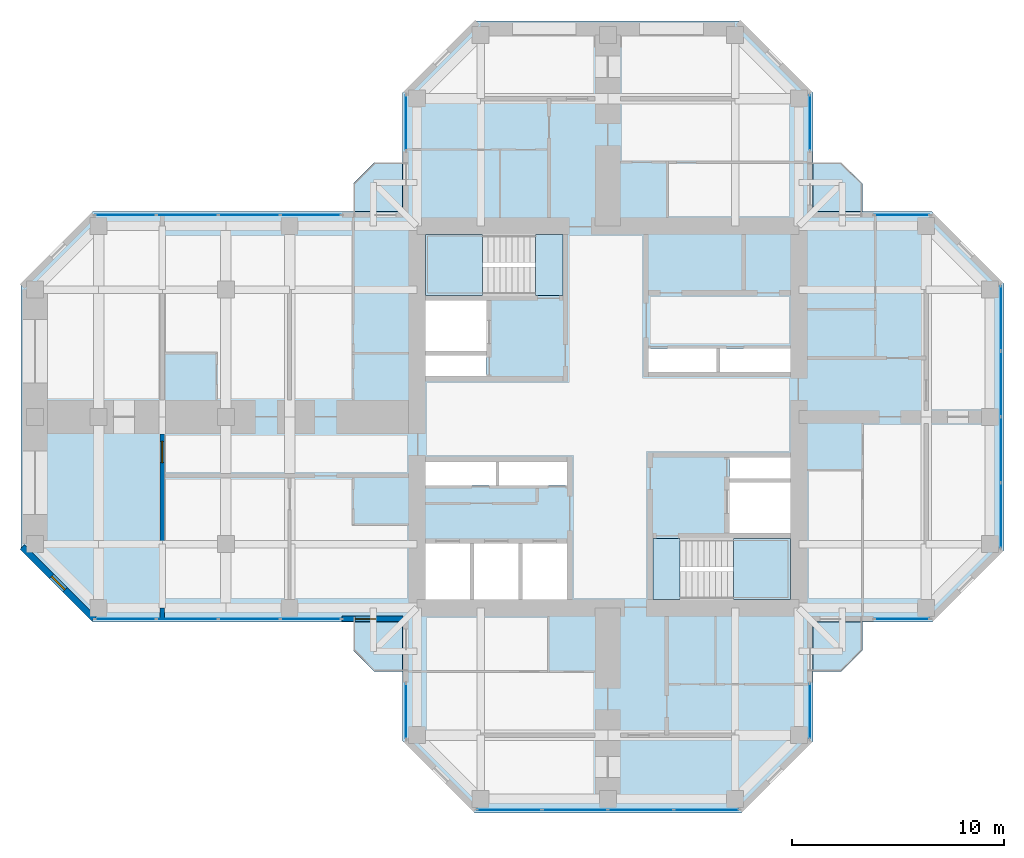
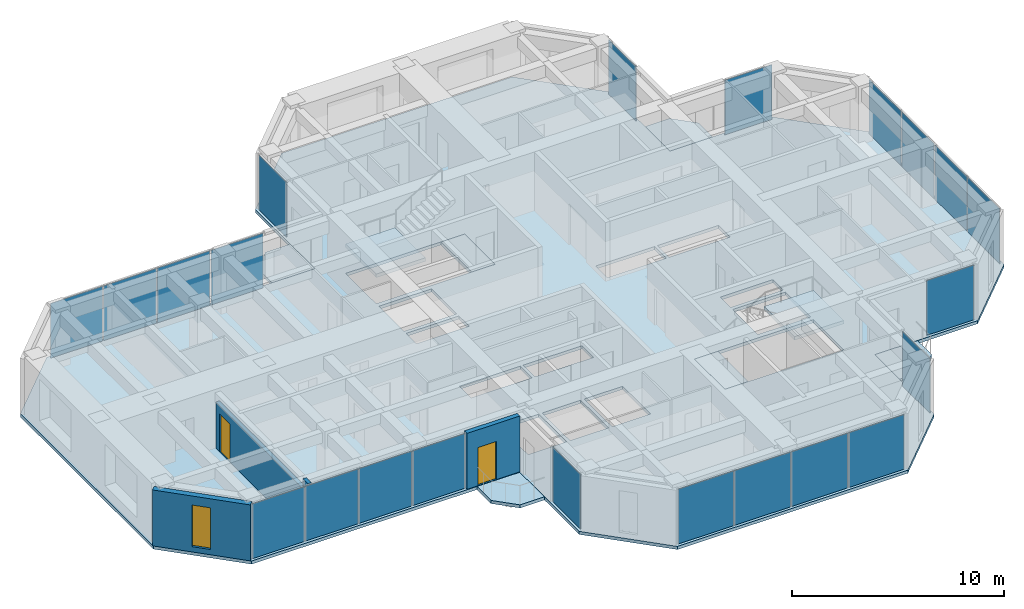
# One storey, part 7 of 13: 22 plates, 9 slabs, 4 walls, 2 doors, 1 window, 3 openings, 12 elements without a shape of their own.
"""IFC4 building model written with IfcOpenShell, lengths in metres."""

import ifcopenshell
import ifcopenshell.guid

model = None  # the IFC model being written
_history = None  # IfcOwnerHistory: only IFC2X3 demands one
_inside = {}  # id of a spatial element -> (the spatial element, [elements in it])
_under = {}  # id of a project, library or spatial element -> (it, [spatial elements below it])
_declared = {}  # id of a project -> (the project, [libraries it declares])
_typed = {}  # id of a type object -> (the type object, [elements of that type])
_made_of = {}  # id of a material, layer set ... -> (it, [elements and type objects made of it])


def new_model(schema):
    """Start an empty IFC model of exactly this schema.

    Asked for "IFC4X3", IfcOpenShell would pick the latest addendum, in which some entities
    have other attributes; the version numbers below select the first issue.
    IFC2X3 requires an IfcOwnerHistory on every rooted entity: one is made here for all.
    """
    global model, _history
    if schema == "IFC4X3":
        model = ifcopenshell.file(schema_version=(4, 3, 0, 0))
    else:
        model = ifcopenshell.file(schema=schema)
    _inside.clear()
    _under.clear()
    _declared.clear()
    _typed.clear()
    _made_of.clear()
    _history = None
    if model.schema == "IFC2X3":
        org = make("IfcOrganization", Name="unknown")
        user = make(
            "IfcPersonAndOrganization",
            ThePerson=make("IfcPerson", FamilyName="unknown"),
            TheOrganization=org,
        )
        app = make(
            "IfcApplication",
            ApplicationDeveloper=org,
            Version="unknown",
            ApplicationFullName="unknown",
            ApplicationIdentifier="unknown",
        )
        _history = make(
            "IfcOwnerHistory",
            OwningUser=user,
            OwningApplication=app,
            ChangeAction="ADDED",
            CreationDate=0,
        )
    return model


def make(cls, **values):
    """One entity of the class cls with the attributes given. An attribute that is None is left unset."""
    return model.create_entity(
        cls, **{name: value for name, value in values.items() if value is not None}
    )


def rooted(cls, **values):
    """An entity with a GlobalId (a new one), such as an element, a storey or a relation."""
    return make(cls, GlobalId=ifcopenshell.guid.new(), OwnerHistory=_history, **values)


def si_unit(unit_type, name, prefix=None):
    """IfcSIUnit, for example si_unit("LENGTHUNIT", "METRE", prefix="MILLI")."""
    return make("IfcSIUnit", UnitType=unit_type, Prefix=prefix, Name=name)


def assignment(units):
    """IfcUnitAssignment: the units of a project."""
    return None if units is None else make("IfcUnitAssignment", Units=units)


def point(xyz):
    """IfcCartesianPoint."""
    return None if xyz is None else make("IfcCartesianPoint", Coordinates=xyz)


def direction(xyz):
    """IfcDirection."""
    return None if xyz is None else make("IfcDirection", DirectionRatios=xyz)


def frame(location, z_axis=None, x_axis=None):
    """IfcAxis2Placement3D, a coordinate frame: its origin and axes. An axis left out is left unset."""
    return make(
        "IfcAxis2Placement3D",
        Location=point(location),
        Axis=direction(z_axis),
        RefDirection=direction(x_axis),
    )


def frame_2d(location, x_axis=None):
    """IfcAxis2Placement2D, a coordinate frame in the plane: its origin and x axis."""
    return make(
        "IfcAxis2Placement2D", Location=point(location), RefDirection=direction(x_axis)
    )


def origin():
    """The frame at (0, 0, 0) with its axes left unset."""
    return frame((0.0, 0.0, 0.0))


def origin_2d():
    """The frame at (0, 0) in the plane with its x axis left unset."""
    return frame_2d((0.0, 0.0))


def place(relative_to, where):
    """IfcLocalPlacement: puts the frame where relative to a parent placement (None: the world)."""
    return make(
        "IfcLocalPlacement", PlacementRelTo=relative_to, RelativePlacement=where
    )


def context(
    kind, dimensions, precision=None, world=None, true_north=None, identifier=None
):
    """IfcGeometricRepresentationContext, for example the 3D "Model" context."""
    return make(
        "IfcGeometricRepresentationContext",
        ContextIdentifier=identifier,
        ContextType=kind,
        CoordinateSpaceDimension=dimensions,
        Precision=precision,
        WorldCoordinateSystem=world,
        TrueNorth=true_north,
    )


def subcontext(parent, identifier, kind, view, scale=None):
    """IfcGeometricRepresentationSubContext, for example "Body" below "Model"."""
    return make(
        "IfcGeometricRepresentationSubContext",
        ContextIdentifier=identifier,
        ContextType=kind,
        ParentContext=parent,
        TargetScale=scale,
        TargetView=view,
    )


def project(units=None, contexts=None):
    """IfcProject with its units and contexts."""
    return rooted(
        "IfcProject",
        Name="project",
        RepresentationContexts=contexts,
        UnitsInContext=assignment(units),
    )


def spatial(cls, under=None, at=None, **own):
    """A site, building, storey or space (cls), placed at a placement, below another one or the project."""
    s = rooted(cls, ObjectPlacement=at, **own)
    if under is not None:
        _under.setdefault(under.id(), (under, []))[1].append(s)
    return s


def polyline(points):
    """IfcPolyline through the points."""
    return make("IfcPolyline", Points=[point(p) for p in points])


def profile(cls, at=None, kind="AREA", **sizes):
    """A parametric profile (cls). Its sizes go by their IFC names, for example OverallWidth=200.0."""
    return make(cls, ProfileType=kind, Position=at, **sizes)


def rectangle(**sizes):
    """IfcRectangleProfileDef."""
    return profile("IfcRectangleProfileDef", **sizes)


def hollow_rectangle(**sizes):
    """IfcRectangleHollowProfileDef."""
    return profile("IfcRectangleHollowProfileDef", **sizes)


def outline(outer, holes=None, kind="AREA"):
    """IfcArbitraryClosedProfileDef: a profile drawn as a closed curve; with holes, ...WithVoids."""
    if holes is None:
        return make("IfcArbitraryClosedProfileDef", ProfileType=kind, OuterCurve=outer)
    return make(
        "IfcArbitraryProfileDefWithVoids",
        ProfileType=kind,
        OuterCurve=outer,
        InnerCurves=holes,
    )


def extrude(swept, where, along, depth):
    """IfcExtrudedAreaSolid: the profile swept, set in the frame where, extruded along a direction by depth."""
    return make(
        "IfcExtrudedAreaSolid",
        SweptArea=swept,
        Position=where,
        ExtrudedDirection=direction(along),
        Depth=depth,
    )


def shape(context_of_items, identifier, shape_type, items):
    """IfcShapeRepresentation: the items that make up one representation, for example the "Body"."""
    return make(
        "IfcShapeRepresentation",
        ContextOfItems=context_of_items,
        RepresentationIdentifier=identifier,
        RepresentationType=shape_type,
        Items=items,
    )


def material(Name=None, Category=None):
    """IfcMaterial."""
    return make("IfcMaterial", Name=Name, Category=Category)


def layer(
    of_material, thickness, ventilated=None, Name=None, Category=None, Priority=None
):
    """IfcMaterialLayer: one layer of a wall or slab, of a material (None: an air gap)."""
    return make(
        "IfcMaterialLayer",
        Material=of_material,
        LayerThickness=thickness,
        IsVentilated=ventilated,
        Name=Name,
        Category=Category,
        Priority=Priority,
    )


def layer_set(layers, Name=None):
    """IfcMaterialLayerSet."""
    return make("IfcMaterialLayerSet", MaterialLayers=layers, LayerSetName=Name)


def constituent(of_material, Name=None, Category=None, fraction=None):
    """IfcMaterialConstituent: one of the materials an element consists of."""
    return make(
        "IfcMaterialConstituent",
        Name=Name,
        Material=of_material,
        Fraction=fraction,
        Category=Category,
    )


def constituent_set(constituents=None, Name=None):
    """IfcMaterialConstituentSet."""
    return make(
        "IfcMaterialConstituentSet", Name=Name, MaterialConstituents=constituents
    )


def made_of(thing, what):
    """Note that an element or type object is made of a material, layer set ...; save() writes the relation."""
    if what is not None:
        _made_of.setdefault(what.id(), (what, []))[1].append(thing)
    return thing


def type_object(cls, material=None, **own):
    """A type object (cls), such as IfcWallType, which elements share."""
    return made_of(rooted(cls, **own), material)


def element(
    cls,
    number,
    at=None,
    inside=None,
    cuts=None,
    type_object=None,
    material=None,
    context=None,
    identifier="Body",
    shape_type=None,
    held_by="IfcProductDefinitionShape",
    body=None,
    shapes=None,
    **own,
):
    """One element of the class cls, such as IfcWall. Its Tag is "e" and its number.

    at: its placement. inside: the storey or other place that contains it. cuts: it is an
    opening in that element (IfcRelVoidsElement). A single representation is given by context,
    identifier, shape_type and body (its items); several are given by shapes. held_by: the class
    of the entity that holds the representations. save() writes the other relations.
    """
    e = rooted(cls, Tag="e%d" % number, ObjectPlacement=at, **own)
    if body is not None:
        shapes = [shape(context, identifier, shape_type, body)]
    if shapes is not None:
        e.Representation = make(held_by, Representations=shapes)
    if inside is not None:
        _inside.setdefault(inside.id(), (inside, []))[1].append(e)
    if cuts is not None:
        rooted(
            "IfcRelVoidsElement", RelatingBuildingElement=cuts, RelatedOpeningElement=e
        )
    if type_object is not None:
        _typed.setdefault(type_object.id(), (type_object, []))[1].append(e)
    return made_of(e, material)


def fill(opening, filler):
    """IfcRelFillsElement: the door or window that sits in an opening."""
    return rooted(
        "IfcRelFillsElement",
        RelatingOpeningElement=opening,
        RelatedBuildingElement=filler,
    )


def aggregate(whole, parts):
    """IfcRelAggregates: a whole, such as a stair, and the parts it consists of."""
    return rooted("IfcRelAggregates", RelatingObject=whole, RelatedObjects=parts)


def save(model, path):
    """Write the relations noted so far, then the file.

    IfcRelAggregates (storeys below a building ...), IfcRelContainedInSpatialStructure (elements
    in a storey), IfcRelDefinesByType, IfcRelAssociatesMaterial and IfcRelDeclares: one each for
    every whole, place, type object, material and project.
    """
    for whole, parts in _under.values():
        aggregate(whole, parts)
    for where, things in _inside.values():
        rooted(
            "IfcRelContainedInSpatialStructure",
            RelatedElements=things,
            RelatingStructure=where,
        )
    for kind, things in _typed.values():
        rooted("IfcRelDefinesByType", RelatedObjects=things, RelatingType=kind)
    for what, things in _made_of.values():
        rooted("IfcRelAssociatesMaterial", RelatedObjects=things, RelatingMaterial=what)
    for by, libraries in _declared.values():
        rooted("IfcRelDeclares", RelatingContext=by, RelatedDefinitions=libraries)
    model.write(path)


model = new_model("IFC4")

# Units and contexts
model_context = context("Model", 3, precision=1e-05, world=origin(), true_north=direction((0.0, 1.0)))
body_context = subcontext(model_context, "Body", "Model", "MODEL_VIEW")
ifc_project = project(units=[si_unit("LENGTHUNIT", "METRE"), si_unit("AREAUNIT", "SQUARE_METRE"), si_unit("VOLUMEUNIT", "CUBIC_METRE"), si_unit("PLANEANGLEUNIT", "RADIAN"), si_unit("MASSUNIT", "GRAM", prefix="KILO")], contexts=[model_context])

# Site, building, storey
site_placement = place(None, origin())
site = spatial("IfcSite", under=ifc_project, at=site_placement, CompositionType="ELEMENT")
building_placement = place(site_placement, origin())
building = spatial("IfcBuilding", under=site, at=building_placement, Name="Torre Cruceta", CompositionType="ELEMENT")
storey_placement = place(building_placement, frame((0.0, 0.0, 239.10009765625)))
storey = spatial("IfcBuildingStorey", under=building, at=storey_placement, Name="L61", CompositionType="ELEMENT", Elevation=239.10009765625)

# Slabs
ifc_material_1 = material(Name="Concrete G35 (fck 35 MPa)", Category="concrete")
ifc_layer_1 = layer(ifc_material_1, 0.179931640625)
ifc_layer_set_1 = layer_set([ifc_layer_1], Name="Concrete G35 (fck 35 MPa)")
slab_type_1 = type_object("IfcSlabType", Name="BALCONY SLAB 180", PredefinedType="USERDEFINED", material=ifc_layer_set_1)
slab_1_placement = place(storey_placement, frame((0.0, 0.0, -0.18017578125)))
element("IfcSlab", 1, at=slab_1_placement, inside=storey, type_object=slab_type_1, Name="Balcony slab L61 N", ObjectType="BALCONY", PredefinedType="USERDEFINED", context=body_context, shape_type="SweptSolid", body=[
    extrude(outline(polyline([(-12.0, 11.0), (-11.0, 12.0), (-9.669921875, 12.0), (-9.669921875, 9.669921875), (-12.0, 9.669921875), (-12.0, 11.0)])), origin(), (0.0, 0.0, 1.0), 0.18017578125),
])
slab_2_placement = place(storey_placement, frame((0.0, 0.0, -0.18017578125)))
element("IfcSlab", 2, at=slab_2_placement, inside=storey, type_object=slab_type_1, Name="Balcony slab L61 E", ObjectType="BALCONY", PredefinedType="USERDEFINED", context=body_context, shape_type="SweptSolid", body=[
    extrude(outline(polyline([(11.0, 12.0), (12.0, 11.0), (12.0, 9.669921875), (9.669921875, 9.669921875), (9.669921875, 12.0), (11.0, 12.0)])), origin(), (0.0, 0.0, 1.0), 0.18017578125),
])
slab_3_placement = place(storey_placement, frame((0.0, 0.0, -0.18017578125)))
element("IfcSlab", 3, at=slab_3_placement, inside=storey, type_object=slab_type_1, Name="Balcony slab L61 S", ObjectType="BALCONY", PredefinedType="USERDEFINED", context=body_context, shape_type="SweptSolid", body=[
    extrude(outline(polyline([(12.0, -11.0), (11.0, -12.0), (9.669921875, -12.0), (9.669921875, -9.669921875), (12.0, -9.669921875), (12.0, -11.0)])), origin(), (0.0, 0.0, 1.0), 0.18017578125),
])
slab_4_placement = place(storey_placement, frame((0.0, 0.0, -0.18017578125)))
element("IfcSlab", 4, at=slab_4_placement, inside=storey, type_object=slab_type_1, Name="Balcony slab L61 W", ObjectType="BALCONY", PredefinedType="USERDEFINED", context=body_context, shape_type="SweptSolid", body=[
    extrude(outline(polyline([(-11.0, -12.0), (-12.0, -11.0), (-12.0, -9.669921875), (-9.669921875, -9.669921875), (-9.669921875, -12.0), (-11.0, -12.0)])), origin(), (0.0, 0.0, 1.0), 0.18017578125),
])

# Curtain wall, plate
ifc_material_2 = material(Name="Aluminium unitised curtain wall", Category="aluminium")
curtain_wall_type = type_object("IfcCurtainWallType", Name="CURTAIN WALL CW-D CO-LIVING UPPER", PredefinedType="USERDEFINED", material=ifc_material_2)
curtain_wall_1_placement = place(storey_placement, origin())
curtain_wall_1 = element("IfcCurtainWall", 5, at=curtain_wall_1_placement, inside=storey, type_object=curtain_wall_type, Name="CW-D L61 E tip 02", ObjectType="UNITISED", PredefinedType="USERDEFINED")
ifc_material_3 = material(Name="Laminated insulating glass unit, diagonal frit 50 %", Category="glass")
ifc_material_4 = material(Name="Laminated insulating glass unit, diagonal frit 50 %", Category="glass")
ifc_layer_2 = layer(ifc_material_4, 0.028076171875)
ifc_layer_set_2 = layer_set([ifc_layer_2], Name="Laminated insulating glass unit, diagonal frit 50 %")
plate_type_1 = type_object("IfcPlateType", Name="CW-D OPERABLE VENT PANEL 28", PredefinedType="CURTAIN_PANEL", material=ifc_layer_set_2)
plate_1_placement = place(storey_placement, frame((18.52001953125, -1.553955078125, 0.010009765625), z_axis=(0.0, 0.0, 1.0), x_axis=(0.0, 1.0, 0.0)))
plate_1 = element("IfcPlate", 6, at=plate_1_placement, type_object=plate_type_1, material=ifc_material_3, Name="CW-D vent 2", PredefinedType="CURTAIN_PANEL", context=body_context, shape_type="SweptSolid", body=[
    extrude(rectangle(XDim=3.047607421875, YDim=0.028076171875, at=origin_2d()), origin(), (0.0, 0.0, 1.0), 3.14990234375),
])

curtain_wall_2_placement = place(storey_placement, origin())
curtain_wall_2 = element("IfcCurtainWall", 7, at=curtain_wall_2_placement, inside=storey, type_object=curtain_wall_type, Name="CW-D L61 W side 10", ObjectType="UNITISED", PredefinedType="USERDEFINED")
plate_2_placement = place(storey_placement, frame((-16.90576171875, 9.52001953125, 0.010009765625), z_axis=(0.0, 0.0, 1.0), x_axis=(-1.0, 0.0, 0.0)))
plate_2 = element("IfcPlate", 8, at=plate_2_placement, type_object=plate_type_1, material=ifc_material_3, Name="CW-D vent 2", PredefinedType="CURTAIN_PANEL", context=body_context, shape_type="SweptSolid", body=[
    extrude(rectangle(XDim=2.86376953125, YDim=0.028076171875, at=origin_2d()), origin(), (0.0, 0.0, 1.0), 3.14990234375),
])

curtain_wall_3_placement = place(storey_placement, origin())
curtain_wall_3 = element("IfcCurtainWall", 9, at=curtain_wall_3_placement, inside=storey, type_object=curtain_wall_type, Name="CW-D L61 W side 14", ObjectType="UNITISED", PredefinedType="USERDEFINED")
plate_3_placement = place(storey_placement, frame((-19.82958984375, -9.52001953125, 0.010009765625), z_axis=(0.0, 0.0, 1.0), x_axis=(1.0, 0.0, 0.0)))
plate_3 = element("IfcPlate", 10, at=plate_3_placement, type_object=plate_type_1, material=ifc_material_3, Name="CW-D vent 2", PredefinedType="CURTAIN_PANEL", context=body_context, shape_type="SweptSolid", body=[
    extrude(rectangle(XDim=2.86376953125, YDim=0.028076171875, at=origin_2d()), origin(), (0.0, 0.0, 1.0), 3.14990234375),
])

curtain_wall_4_placement = place(storey_placement, origin())
curtain_wall_4 = element("IfcCurtainWall", 11, at=curtain_wall_4_placement, inside=storey, type_object=curtain_wall_type, Name="CW-D L61 S tip 17", ObjectType="UNITISED", PredefinedType="USERDEFINED")
plate_4_placement = place(storey_placement, frame((-1.553955078125, -18.52001953125, 0.010009765625), z_axis=(0.0, 0.0, 1.0), x_axis=(1.0, 0.0, 0.0)))
plate_4 = element("IfcPlate", 12, at=plate_4_placement, type_object=plate_type_1, material=ifc_material_3, Name="CW-D vent 2", PredefinedType="CURTAIN_PANEL", context=body_context, shape_type="SweptSolid", body=[
    extrude(rectangle(XDim=3.047607421875, YDim=0.028076171875, at=origin_2d()), origin(), (0.0, 0.0, 1.0), 3.14990234375),
])

curtain_wall_5_placement = place(storey_placement, origin())
curtain_wall_5 = element("IfcCurtainWall", 13, at=curtain_wall_5_placement, inside=storey, type_object=curtain_wall_type, Name="CW-D L61 E side 00", ObjectType="UNITISED", PredefinedType="USERDEFINED")
ifc_material_5 = material(Name="Laminated insulating glass unit, low-iron clear", Category="glass")
ifc_material_6 = material(Name="Laminated insulating glass unit, diagonal frit 50 %", Category="glass")
ifc_layer_3 = layer(ifc_material_6, 0.028076171875)
ifc_layer_set_3 = layer_set([ifc_layer_3], Name="Laminated insulating glass unit, diagonal frit 50 %")
plate_type_2 = type_object("IfcPlateType", Name="CW-D PANEL 28", PredefinedType="CURTAIN_PANEL", material=ifc_layer_set_3)
plate_5_placement = place(storey_placement, frame((13.86767578125, -9.52001953125, 0.010009765625), z_axis=(0.0, 0.0, 1.0), x_axis=(1.0, 0.0, 0.0)))
plate_5 = element("IfcPlate", 14, at=plate_5_placement, type_object=plate_type_2, material=ifc_material_5, Name="CW-D panel 1", PredefinedType="CURTAIN_PANEL", context=body_context, shape_type="SweptSolid", body=[
    extrude(rectangle(XDim=2.575439453125, YDim=0.028076171875, at=origin_2d()), origin(), (0.0, 0.0, 1.0), 3.14990234375),
])
aggregate(curtain_wall_5, [plate_5])

# Plate
plate_6_placement = place(storey_placement, frame((18.52001953125, -4.646484375, 0.010009765625), z_axis=(0.0, 0.0, 1.0), x_axis=(0.0, 1.0, 0.0)))
plate_6 = element("IfcPlate", 15, at=plate_6_placement, type_object=plate_type_2, material=ifc_material_5, Name="CW-D panel 1", PredefinedType="CURTAIN_PANEL", context=body_context, shape_type="SweptSolid", body=[
    extrude(rectangle(XDim=3.017578125, YDim=0.028076171875, at=origin_2d()), origin(), (0.0, 0.0, 1.0), 3.14990234375),
])

plate_7_placement = place(storey_placement, frame((18.52001953125, 1.553955078125, 0.010009765625), z_axis=(0.0, 0.0, 1.0), x_axis=(0.0, 1.0, 0.0)))
plate_7 = element("IfcPlate", 16, at=plate_7_placement, type_object=plate_type_2, material=ifc_material_3, Name="CW-D panel 3", PredefinedType="CURTAIN_PANEL", context=body_context, shape_type="SweptSolid", body=[
    extrude(rectangle(XDim=3.047607421875, YDim=0.028076171875, at=origin_2d()), origin(), (0.0, 0.0, 1.0), 3.14990234375),
])

plate_8_placement = place(storey_placement, frame((18.52001953125, 4.646484375, 0.010009765625), z_axis=(0.0, 0.0, 1.0), x_axis=(0.0, 1.0, 0.0)))
plate_8 = element("IfcPlate", 17, at=plate_8_placement, type_object=plate_type_2, material=ifc_material_3, Name="CW-D panel 4", PredefinedType="CURTAIN_PANEL", context=body_context, shape_type="SweptSolid", body=[
    extrude(rectangle(XDim=3.017578125, YDim=0.028076171875, at=origin_2d()), origin(), (0.0, 0.0, 1.0), 3.14990234375),
])

aggregate(curtain_wall_1, [plate_6, plate_1, plate_7, plate_8])

# Curtain wall, plate
curtain_wall_6_placement = place(storey_placement, origin())
curtain_wall_6 = element("IfcCurtainWall", 18, at=curtain_wall_6_placement, inside=storey, type_object=curtain_wall_type, Name="CW-D L61 E side 04", ObjectType="UNITISED", PredefinedType="USERDEFINED")
plate_9_placement = place(storey_placement, frame((13.86767578125, 9.52001953125, 0.010009765625), z_axis=(0.0, 0.0, 1.0), x_axis=(-1.0, 0.0, 0.0)))
plate_9 = element("IfcPlate", 19, at=plate_9_placement, type_object=plate_type_2, material=ifc_material_5, Name="CW-D panel 1", PredefinedType="CURTAIN_PANEL", context=body_context, shape_type="SweptSolid", body=[
    extrude(rectangle(XDim=2.575439453125, YDim=0.028076171875, at=origin_2d()), origin(), (0.0, 0.0, 1.0), 3.14990234375),
])
aggregate(curtain_wall_6, [plate_9])

curtain_wall_7_placement = place(storey_placement, origin())
curtain_wall_7 = element("IfcCurtainWall", 20, at=curtain_wall_7_placement, inside=storey, type_object=curtain_wall_type, Name="CW-D L61 N side 05", ObjectType="UNITISED", PredefinedType="USERDEFINED")
plate_10_placement = place(storey_placement, frame((9.52001953125, 13.86767578125, 0.010009765625), z_axis=(0.0, 0.0, 1.0), x_axis=(0.0, 1.0, 0.0)))
plate_10 = element("IfcPlate", 21, at=plate_10_placement, type_object=plate_type_2, material=ifc_material_5, Name="CW-D panel 1", PredefinedType="CURTAIN_PANEL", context=body_context, shape_type="SweptSolid", body=[
    extrude(rectangle(XDim=2.575439453125, YDim=0.028076171875, at=origin_2d()), origin(), (0.0, 0.0, 1.0), 3.14990234375),
])
aggregate(curtain_wall_7, [plate_10])

curtain_wall_8_placement = place(storey_placement, origin())
curtain_wall_8 = element("IfcCurtainWall", 22, at=curtain_wall_8_placement, inside=storey, type_object=curtain_wall_type, Name="CW-D L61 N side 09", ObjectType="UNITISED", PredefinedType="USERDEFINED")
plate_11_placement = place(storey_placement, frame((-9.52001953125, 13.86767578125, 0.010009765625), z_axis=(0.0, 0.0, 1.0), x_axis=(0.0, -1.0, 0.0)))
plate_11 = element("IfcPlate", 23, at=plate_11_placement, type_object=plate_type_2, material=ifc_material_5, Name="CW-D panel 1", PredefinedType="CURTAIN_PANEL", context=body_context, shape_type="SweptSolid", body=[
    extrude(rectangle(XDim=2.575439453125, YDim=0.028076171875, at=origin_2d()), origin(), (0.0, 0.0, 1.0), 3.14990234375),
])
aggregate(curtain_wall_8, [plate_11])

# Plate
plate_12_placement = place(storey_placement, frame((-13.996826171875, 9.52001953125, 0.010009765625), z_axis=(0.0, 0.0, 1.0), x_axis=(-1.0, 0.0, 0.0)))
plate_12 = element("IfcPlate", 24, at=plate_12_placement, type_object=plate_type_2, material=ifc_material_5, Name="CW-D panel 1", PredefinedType="CURTAIN_PANEL", context=body_context, shape_type="SweptSolid", body=[
    extrude(rectangle(XDim=2.833740234375, YDim=0.028076171875, at=origin_2d()), origin(), (0.0, 0.0, 1.0), 3.14990234375),
])

plate_13_placement = place(storey_placement, frame((-19.82958984375, 9.52001953125, 0.010009765625), z_axis=(0.0, 0.0, 1.0), x_axis=(-1.0, 0.0, 0.0)))
plate_13 = element("IfcPlate", 25, at=plate_13_placement, type_object=plate_type_2, material=ifc_material_3, Name="CW-D panel 3", PredefinedType="CURTAIN_PANEL", context=body_context, shape_type="SweptSolid", body=[
    extrude(rectangle(XDim=2.86376953125, YDim=0.028076171875, at=origin_2d()), origin(), (0.0, 0.0, 1.0), 3.14990234375),
])

plate_14_placement = place(storey_placement, frame((-22.738525390625, 9.52001953125, 0.010009765625), z_axis=(0.0, 0.0, 1.0), x_axis=(-1.0, 0.0, 0.0)))
plate_14 = element("IfcPlate", 26, at=plate_14_placement, type_object=plate_type_2, material=ifc_material_3, Name="CW-D panel 4", PredefinedType="CURTAIN_PANEL", context=body_context, shape_type="SweptSolid", body=[
    extrude(rectangle(XDim=2.833740234375, YDim=0.028076171875, at=origin_2d()), origin(), (0.0, 0.0, 1.0), 3.14990234375),
])

aggregate(curtain_wall_2, [plate_12, plate_2, plate_13, plate_14])

plate_15_placement = place(storey_placement, frame((-22.738525390625, -9.52001953125, 0.010009765625), z_axis=(0.0, 0.0, 1.0), x_axis=(1.0, 0.0, 0.0)))
plate_15 = element("IfcPlate", 27, at=plate_15_placement, type_object=plate_type_2, material=ifc_material_5, Name="CW-D panel 1", PredefinedType="CURTAIN_PANEL", context=body_context, shape_type="SweptSolid", body=[
    extrude(rectangle(XDim=2.833740234375, YDim=0.028076171875, at=origin_2d()), origin(), (0.0, 0.0, 1.0), 3.14990234375),
])

plate_16_placement = place(storey_placement, frame((-16.90576171875, -9.52001953125, 0.010009765625), z_axis=(0.0, 0.0, 1.0), x_axis=(1.0, 0.0, 0.0)))
plate_16 = element("IfcPlate", 28, at=plate_16_placement, type_object=plate_type_2, material=ifc_material_3, Name="CW-D panel 3", PredefinedType="CURTAIN_PANEL", context=body_context, shape_type="SweptSolid", body=[
    extrude(rectangle(XDim=2.86376953125, YDim=0.028076171875, at=origin_2d()), origin(), (0.0, 0.0, 1.0), 3.14990234375),
])

plate_17_placement = place(storey_placement, frame((-13.996826171875, -9.52001953125, 0.010009765625), z_axis=(0.0, 0.0, 1.0), x_axis=(1.0, 0.0, 0.0)))
plate_17 = element("IfcPlate", 29, at=plate_17_placement, type_object=plate_type_2, material=ifc_material_3, Name="CW-D panel 4", PredefinedType="CURTAIN_PANEL", context=body_context, shape_type="SweptSolid", body=[
    extrude(rectangle(XDim=2.833740234375, YDim=0.028076171875, at=origin_2d()), origin(), (0.0, 0.0, 1.0), 3.14990234375),
])

aggregate(curtain_wall_3, [plate_15, plate_3, plate_16, plate_17])

# Curtain wall, plate
curtain_wall_9_placement = place(storey_placement, origin())
curtain_wall_9 = element("IfcCurtainWall", 30, at=curtain_wall_9_placement, inside=storey, type_object=curtain_wall_type, Name="CW-D L61 S side 15", ObjectType="UNITISED", PredefinedType="USERDEFINED")
plate_18_placement = place(storey_placement, frame((-9.52001953125, -13.86767578125, 0.010009765625), z_axis=(0.0, 0.0, 1.0), x_axis=(0.0, -1.0, 0.0)))
plate_18 = element("IfcPlate", 31, at=plate_18_placement, type_object=plate_type_2, material=ifc_material_5, Name="CW-D panel 1", PredefinedType="CURTAIN_PANEL", context=body_context, shape_type="SweptSolid", body=[
    extrude(rectangle(XDim=2.575439453125, YDim=0.028076171875, at=origin_2d()), origin(), (0.0, 0.0, 1.0), 3.14990234375),
])
aggregate(curtain_wall_9, [plate_18])

# Plate
plate_19_placement = place(storey_placement, frame((-4.646484375, -18.52001953125, 0.010009765625), z_axis=(0.0, 0.0, 1.0), x_axis=(1.0, 0.0, 0.0)))
plate_19 = element("IfcPlate", 32, at=plate_19_placement, type_object=plate_type_2, material=ifc_material_5, Name="CW-D panel 1", PredefinedType="CURTAIN_PANEL", context=body_context, shape_type="SweptSolid", body=[
    extrude(rectangle(XDim=3.017578125, YDim=0.028076171875, at=origin_2d()), origin(), (0.0, 0.0, 1.0), 3.14990234375),
])

plate_20_placement = place(storey_placement, frame((1.553955078125, -18.52001953125, 0.010009765625), z_axis=(0.0, 0.0, 1.0), x_axis=(1.0, 0.0, 0.0)))
plate_20 = element("IfcPlate", 33, at=plate_20_placement, type_object=plate_type_2, material=ifc_material_3, Name="CW-D panel 3", PredefinedType="CURTAIN_PANEL", context=body_context, shape_type="SweptSolid", body=[
    extrude(rectangle(XDim=3.047607421875, YDim=0.028076171875, at=origin_2d()), origin(), (0.0, 0.0, 1.0), 3.14990234375),
])

plate_21_placement = place(storey_placement, frame((4.646484375, -18.52001953125, 0.010009765625), z_axis=(0.0, 0.0, 1.0), x_axis=(1.0, 0.0, 0.0)))
plate_21 = element("IfcPlate", 34, at=plate_21_placement, type_object=plate_type_2, material=ifc_material_3, Name="CW-D panel 4", PredefinedType="CURTAIN_PANEL", context=body_context, shape_type="SweptSolid", body=[
    extrude(rectangle(XDim=3.017578125, YDim=0.028076171875, at=origin_2d()), origin(), (0.0, 0.0, 1.0), 3.14990234375),
])

aggregate(curtain_wall_4, [plate_19, plate_4, plate_20, plate_21])

# Curtain wall, plate
curtain_wall_10_placement = place(storey_placement, origin())
curtain_wall_10 = element("IfcCurtainWall", 35, at=curtain_wall_10_placement, inside=storey, type_object=curtain_wall_type, Name="CW-D L61 S side 19", ObjectType="UNITISED", PredefinedType="USERDEFINED")
plate_22_placement = place(storey_placement, frame((9.52001953125, -13.86767578125, 0.010009765625), z_axis=(0.0, 0.0, 1.0), x_axis=(0.0, 1.0, 0.0)))
plate_22 = element("IfcPlate", 36, at=plate_22_placement, type_object=plate_type_2, material=ifc_material_5, Name="CW-D panel 1", PredefinedType="CURTAIN_PANEL", context=body_context, shape_type="SweptSolid", body=[
    extrude(rectangle(XDim=2.575439453125, YDim=0.028076171875, at=origin_2d()), origin(), (0.0, 0.0, 1.0), 3.14990234375),
])
aggregate(curtain_wall_10, [plate_22])

# Slab
ifc_material_7 = material(Name="Concrete G35 (fck 35 MPa)", Category="concrete")
ifc_layer_4 = layer(ifc_material_7, 0.179931640625)
ifc_layer_set_4 = layer_set([ifc_layer_4], Name="Concrete G35 (fck 35 MPa)")
slab_type_2 = type_object("IfcSlabType", Name="FLOOR SLAB 180", PredefinedType="FLOOR", material=ifc_layer_set_4)
slab_5_placement = place(storey_placement, frame((0.0, 0.0, -0.18017578125)))
element("IfcSlab", 37, at=slab_5_placement, inside=storey, type_object=slab_type_2, Name="Floor Slab L61", PredefinedType="FLOOR", context=body_context, shape_type="SweptSolid", body=[
    extrude(outline(polyline([(9.669921875, -9.669921875), (9.669921875, -15.277587890625), (6.277587890625, -18.669921875), (-6.277587890625, -18.669921875), (-9.669921875, -15.277587890625), (-9.669921875, -9.669921875), (-24.277587890625, -9.669921875), (-27.669921875, -6.277587890625), (-27.669921875, 6.277587890625), (-24.277587890625, 9.669921875), (-9.669921875, 9.669921875), (-9.669921875, 15.277587890625), (-6.277587890625, 18.669921875), (6.277587890625, 18.669921875), (9.669921875, 15.277587890625), (9.669921875, 9.669921875), (15.277587890625, 9.669921875), (18.669921875, 6.277587890625), (18.669921875, -6.277587890625), (15.277587890625, -9.669921875), (9.669921875, -9.669921875)]), holes=[polyline([(1.925048828125, 2.125), (5.125, 2.125), (5.125, 3.22509765625), (1.925048828125, 3.22509765625), (1.925048828125, 2.125)]), polyline([(5.27490234375, 2.125), (8.60009765625, 2.125), (8.60009765625, 3.22509765625), (5.27490234375, 3.22509765625), (5.27490234375, 2.125)]), polyline([(-8.60009765625, 3.10009765625), (-5.72509765625, 3.10009765625), (-5.72509765625, 5.47509765625), (-8.60009765625, 5.47509765625), (-8.60009765625, 3.10009765625)]), polyline([(-8.60009765625, 1.925048828125), (-5.72509765625, 1.925048828125), (-5.72509765625, 2.89990234375), (-8.60009765625, 2.89990234375), (-8.60009765625, 1.925048828125)]), polyline([(-4.0166015625, -8.60009765625), (-1.925048828125, -8.60009765625), (-1.925048828125, -5.97509765625), (-4.0166015625, -5.97509765625), (-4.0166015625, -8.60009765625)]), polyline([(-6.308349609375, -8.60009765625), (-4.216552734375, -8.60009765625), (-4.216552734375, -5.97509765625), (-6.308349609375, -5.97509765625), (-6.308349609375, -8.60009765625)]), polyline([(-8.60009765625, -8.60009765625), (-6.50830078125, -8.60009765625), (-6.50830078125, -5.97509765625), (-8.60009765625, -5.97509765625), (-8.60009765625, -8.60009765625)]), polyline([(-5.125, -3.22509765625), (-1.925048828125, -3.22509765625), (-1.925048828125, -2.125), (-5.125, -2.125), (-5.125, -3.22509765625)]), polyline([(-8.60009765625, -3.22509765625), (-5.27490234375, -3.22509765625), (-5.27490234375, -2.125), (-8.60009765625, -2.125), (-8.60009765625, -3.22509765625)]), polyline([(5.72509765625, -5.47509765625), (8.60009765625, -5.47509765625), (8.60009765625, -3.10009765625), (5.72509765625, -3.10009765625), (5.72509765625, -5.47509765625)]), polyline([(5.72509765625, -2.89990234375), (8.60009765625, -2.89990234375), (8.60009765625, -1.925048828125), (5.72509765625, -1.925048828125), (5.72509765625, -2.89990234375)]), polyline([(-8.60009765625, 5.72509765625), (-8.60009765625, 8.60009765625), (-3.39990234375, 8.60009765625), (-2.125, 8.60009765625), (-2.125, 5.72509765625), (-3.39990234375, 5.72509765625), (-8.60009765625, 5.72509765625)]), polyline([(2.125, -5.72509765625), (3.39990234375, -5.72509765625), (8.60009765625, -5.72509765625), (8.60009765625, -8.60009765625), (3.39990234375, -8.60009765625), (2.125, -8.60009765625), (2.125, -5.72509765625)])]), origin(), (0.0, 0.0, 1.0), 0.18017578125),
])

# Stair, slab
ifc_material_8 = material(Name="Concrete G30 (fck 30 MPa)", Category="concrete")
stair_type = type_object("IfcStairType", Name="STAIR HALF-TURN 1300", PredefinedType="HALF_TURN_STAIR", material=ifc_material_8)
stair_1_placement = place(storey_placement, origin())
stair_1 = element("IfcStair", 38, at=stair_1_placement, inside=storey, type_object=stair_type, Name="Stair ST1 L61", PredefinedType="HALF_TURN_STAIR")
ifc_material_9 = material(Name="Concrete G30 (fck 30 MPa)", Category="concrete")
ifc_layer_5 = layer(ifc_material_9, 0.199951171875)
ifc_layer_set_5 = layer_set([ifc_layer_5], Name="Concrete G30 (fck 30 MPa)")
slab_type_3 = type_object("IfcSlabType", Name="STAIR LANDING 200", PredefinedType="LANDING", material=ifc_layer_set_5)
slab_6_placement = place(storey_placement, frame((0.0, 0.0, 1.5)))
slab_6 = element("IfcSlab", 39, at=slab_6_placement, type_object=slab_type_3, Name="ST1 landing 1", PredefinedType="LANDING", context=body_context, shape_type="SweptSolid", body=[
    extrude(outline(polyline([(-8.60009765625, 5.72509765625), (-5.919921875, 5.72509765625), (-5.919921875, 8.60009765625), (-8.60009765625, 8.60009765625), (-8.60009765625, 5.72509765625)])), origin(), (0.0, 0.0, 1.0), 0.199951171875),
])
aggregate(stair_1, [slab_6])

stair_2_placement = place(storey_placement, origin())
stair_2 = element("IfcStair", 40, at=stair_2_placement, inside=storey, type_object=stair_type, Name="Stair ST2 L61", PredefinedType="HALF_TURN_STAIR")
slab_7_placement = place(storey_placement, frame((0.0, 0.0, 1.5)))
slab_7 = element("IfcSlab", 41, at=slab_7_placement, type_object=slab_type_3, Name="ST2 landing 1", PredefinedType="LANDING", context=body_context, shape_type="SweptSolid", body=[
    extrude(outline(polyline([(5.919921875, -8.60009765625), (8.60009765625, -8.60009765625), (8.60009765625, -5.72509765625), (5.919921875, -5.72509765625), (5.919921875, -8.60009765625)])), origin(), (0.0, 0.0, 1.0), 0.199951171875),
])
aggregate(stair_2, [slab_7])

# Slabs
slab_8_placement = place(storey_placement, frame((0.0, 0.0, -0.2001953125)))
element("IfcSlab", 42, at=slab_8_placement, inside=storey, type_object=slab_type_3, Name="Stair ST1 floor landing L61", PredefinedType="LANDING", context=body_context, shape_type="SweptSolid", body=[
    extrude(outline(polyline([(-2.125, 8.60009765625), (-2.125, 5.72509765625), (-3.39990234375, 5.72509765625), (-3.39990234375, 8.60009765625), (-2.125, 8.60009765625)])), origin(), (0.0, 0.0, 1.0), 0.2001953125),
])
slab_9_placement = place(storey_placement, frame((0.0, 0.0, -0.2001953125)))
element("IfcSlab", 43, at=slab_9_placement, inside=storey, type_object=slab_type_3, Name="Stair ST2 floor landing L61", PredefinedType="LANDING", context=body_context, shape_type="SweptSolid", body=[
    extrude(outline(polyline([(2.125, -8.60009765625), (2.125, -5.72509765625), (3.39990234375, -5.72509765625), (3.39990234375, -8.60009765625), (2.125, -8.60009765625)])), origin(), (0.0, 0.0, 1.0), 0.2001953125),
])

# Wall, opening, window
ifc_material_10 = material(Name="Concrete G30 (fck 30 MPa)", Category="concrete")
ifc_layer_6 = layer(ifc_material_10, 0.300048828125)
ifc_layer_set_6 = layer_set([ifc_layer_6], Name="Concrete G30 (fck 30 MPa)")
wall_type_1 = type_object("IfcWallType", Name="EXPOSED CONCRETE FACADE WALL 300", PredefinedType="SOLIDWALL", material=ifc_layer_set_6)
wall_1_placement = place(storey_placement, frame((-27.60009765625, -6.135498046875, 0.0), z_axis=(0.0, 0.0, 1.0), x_axis=(0.707132283189, -0.707081278264, 0.0)))
wall_1 = element("IfcWall", 44, at=wall_1_placement, inside=storey, type_object=wall_type_1, Name="EW1 facade wall L61 W chamfer 13", PredefinedType="SOLIDWALL", context=body_context, shape_type="SweptSolid", body=[
    extrude(rectangle(XDim=4.78662109375, YDim=0.300048828125, at=frame_2d((2.393310546875, 0.0))), origin(), (0.0, 0.0, 1.0), 3.219970703125),
])
opening_1_placement = place(wall_1_placement, frame((1.943359375, 0.0, 0.300048828125)))
opening_1 = element("IfcOpeningElement", 45, at=opening_1_placement, cuts=wall_1, Name="Opening WN5", PredefinedType="OPENING", context=body_context, shape_type="SweptSolid", body=[
    extrude(rectangle(XDim=0.89990234375, YDim=2.39990234375, at=frame_2d((0.449951171875, 1.199951171875))), frame((0.0, 0.159912109375, 0.0), z_axis=(0.0, -1.0, 0.0), x_axis=(1.0, 0.0, 0.0)), (0.0, 0.0, 1.0), 0.320068359375),
])
ifc_material_11 = material(Name="Aluminium window frame", Category="aluminium")
ifc_constituent_1 = constituent(ifc_material_11, Name="Frame")
ifc_material_12 = material(Name="Laminated insulating glass unit, low-iron clear", Category="glass")
ifc_constituent_2 = constituent(ifc_material_12, Name="Glazing")
ifc_constituent_set_1 = constituent_set(constituents=[ifc_constituent_1, ifc_constituent_2], Name="Aluminium window")
window_type = type_object("IfcWindowType", Name="CHAMFER SLOT WINDOW 900X2400", PartitioningType="SINGLE_PANEL", PredefinedType="WINDOW", material=ifc_constituent_set_1)
window_placement = place(opening_1_placement, origin())
window = element("IfcWindow", 46, at=window_placement, inside=storey, type_object=window_type, Name="WN5 L61 W 1", OverallHeight=2.39990234375, OverallWidth=0.89990234375, PartitioningType="SINGLE_PANEL", PredefinedType="WINDOW", context=body_context, shape_type="SweptSolid", body=[
    extrude(hollow_rectangle(XDim=0.89990234375, YDim=2.39990234375, WallThickness=0.06005859375, at=frame_2d((0.449951171875, 1.199951171875))), frame((0.0, 0.030029296875, 0.0), z_axis=(0.0, -1.0, 0.0), x_axis=(1.0, 0.0, 0.0)), (0.0, 0.0, 1.0), 0.06005859375),
    extrude(rectangle(XDim=0.77880859375, YDim=2.27880859375, at=frame_2d((0.449951171875, 1.199951171875))), frame((0.0, 0.030029296875, 0.0), z_axis=(0.0, -1.0, 0.0), x_axis=(1.0, 0.0, 0.0)), (0.0, 0.0, 1.0), 0.06005859375),
])
fill(opening_1, window)

# Wall, opening, door
ifc_material_13 = material(Name="Concrete G25 (fck 25 MPa)", Category="concrete")
ifc_layer_7 = layer(ifc_material_13, 0.199951171875)
ifc_layer_set_7 = layer_set([ifc_layer_7], Name="Concrete G25 (fck 25 MPa)")
wall_type_2 = type_object("IfcWallType", Name="UNIT SEPARATING WALL 200", PredefinedType="SOLIDWALL", material=ifc_layer_set_7)
wall_2_placement = place(storey_placement, frame((-21.0, -0.800048828125, 0.0), z_axis=(0.0, 0.0, 1.0), x_axis=(0.0, -1.0, 0.0)))
wall_2 = element("IfcWall", 47, at=wall_2_placement, inside=storey, type_object=wall_type_2, Name="PT2 L61-W-ENDb", PredefinedType="SOLIDWALL", context=body_context, shape_type="SweptSolid", body=[
    extrude(rectangle(XDim=8.199951171875, YDim=0.199951171875, at=frame_2d((4.10009765625, 0.0))), origin(), (0.0, 0.0, 1.0), 2.669921875),
])
opening_2_placement = place(wall_2_placement, frame((0.35009765625, 0.0, 0.0)))
opening_2 = element("IfcOpeningElement", 48, at=opening_2_placement, cuts=wall_2, Name="Opening D14", PredefinedType="OPENING", context=body_context, shape_type="SweptSolid", body=[
    extrude(rectangle(XDim=1.0, YDim=2.199951171875, at=frame_2d((0.5, 1.10009765625))), frame((0.0, 0.10986328125, 0.0), z_axis=(0.0, -1.0, 0.0), x_axis=(1.0, 0.0, 0.0)), (0.0, 0.0, 1.0), 0.219970703125),
])
ifc_material_14 = material(Name="Steel DX51D", Category="steel")
ifc_constituent_3 = constituent(ifc_material_14, Name="Leaf and frame")
ifc_material_15 = material(Name="Polyester powder coating", Category="paint")
ifc_constituent_4 = constituent(ifc_material_15, Name="Finish")
ifc_material_16 = material(Name="Fire-resisting glass", Category="glass")
ifc_constituent_5 = constituent(ifc_material_16, Name="Vision panel")
ifc_constituent_set_2 = constituent_set(constituents=[ifc_constituent_3, ifc_constituent_4, ifc_constituent_5], Name="Steel fire door with vision panel")
door_type_1 = type_object("IfcDoorType", Name="FIRE DOOR VISION PANEL 1000X2200", OperationType="SINGLE_SWING_RIGHT", PredefinedType="DOOR", material=ifc_constituent_set_2)
door_1_placement = place(opening_2_placement, frame((1.0, 0.0, 0.0), z_axis=(0.0, 0.0, 1.0), x_axis=(-1.0, 0.0, 0.0)))
door_1 = element("IfcDoor", 49, at=door_1_placement, inside=storey, type_object=door_type_1, Name="D14 L61-W-ENDb-D1", OperationType="SINGLE_SWING_RIGHT", OverallHeight=2.199951171875, OverallWidth=1.0, PredefinedType="DOOR", context=body_context, shape_type="SweptSolid", body=[
    extrude(rectangle(XDim=1.0, YDim=2.199951171875, at=frame_2d((0.5, 1.10009765625))), frame((0.0, 0.025146484375, 0.0), z_axis=(0.0, -1.0, 0.0), x_axis=(1.0, 0.0, 0.0)), (0.0, 0.0, 1.0), 0.050048828125),
])
fill(opening_2, door_1)

# Wall
wall_3_placement = place(storey_placement, frame((-21.0, -9.0, 0.0), z_axis=(0.0, 0.0, 1.0), x_axis=(0.0, -1.0, 0.0)))
element("IfcWall", 50, at=wall_3_placement, inside=storey, type_object=wall_type_2, Name="PT2 L61-W-ENDb 2", PredefinedType="SOLIDWALL", context=body_context, shape_type="SweptSolid", body=[
    extrude(rectangle(XDim=0.47998046875, YDim=0.199951171875, at=frame_2d((0.239990234375, 0.0))), origin(), (0.0, 0.0, 1.0), 3.219970703125),
])

# Wall, opening, door
ifc_material_17 = material(Name="Concrete G30 (fck 30 MPa)", Category="concrete")
ifc_layer_8 = layer(ifc_material_17, 0.25)
ifc_layer_set_8 = layer_set([ifc_layer_8], Name="Concrete G30 (fck 30 MPa)")
wall_type_3 = type_object("IfcWallType", Name="WINTER GARDEN WALL 250", PredefinedType="SOLIDWALL", material=ifc_layer_set_8)
wall_4_placement = place(storey_placement, frame((-12.52001953125, -9.52001953125, 0.0), z_axis=(0.0, 0.0, 1.0), x_axis=(1.0, 0.0, 0.0)))
wall_4 = element("IfcWall", 51, at=wall_4_placement, inside=storey, type_object=wall_type_3, Name="EW2 winter garden wall L61 14", PredefinedType="SOLIDWALL", context=body_context, shape_type="SweptSolid", body=[
    extrude(rectangle(XDim=2.875, YDim=0.25, at=frame_2d((1.4375, 0.0))), origin(), (0.0, 0.0, 1.0), 3.219970703125),
])
opening_3_placement = place(wall_4_placement, frame((0.60009765625, 0.0, 0.0)))
opening_3 = element("IfcOpeningElement", 52, at=opening_3_placement, cuts=wall_4, Name="Opening D10", PredefinedType="OPENING", context=body_context, shape_type="SweptSolid", body=[
    extrude(rectangle(XDim=1.0, YDim=2.199951171875, at=frame_2d((0.5, 1.10009765625))), frame((0.0, 0.135009765625, 0.0), z_axis=(0.0, -1.0, 0.0), x_axis=(1.0, 0.0, 0.0)), (0.0, 0.0, 1.0), 0.27001953125),
])
ifc_material_18 = material(Name="Aluminium door frame", Category="aluminium")
ifc_constituent_6 = constituent(ifc_material_18, Name="Frame")
ifc_material_19 = material(Name="Laminated safety glass", Category="glass")
ifc_constituent_7 = constituent(ifc_material_19, Name="Glazing")
ifc_constituent_set_3 = constituent_set(constituents=[ifc_constituent_6, ifc_constituent_7], Name="Aluminium glazed door")
door_type_2 = type_object("IfcDoorType", Name="BALCONY DOOR 1000X2200", OperationType="SINGLE_SWING_RIGHT", PredefinedType="DOOR", material=ifc_constituent_set_3)
door_2_placement = place(opening_3_placement, origin())
door_2 = element("IfcDoor", 53, at=door_2_placement, inside=storey, type_object=door_type_2, Name="D10 balcony door L61 14", OperationType="SINGLE_SWING_RIGHT", OverallHeight=2.199951171875, OverallWidth=1.0, PredefinedType="DOOR", context=body_context, shape_type="SweptSolid", body=[
    extrude(hollow_rectangle(XDim=1.0, YDim=2.199951171875, WallThickness=0.06005859375, at=frame_2d((0.5, 1.10009765625))), frame((0.0, 0.02490234375, 0.0), z_axis=(0.0, -1.0, 0.0), x_axis=(1.0, 0.0, 0.0)), (0.0, 0.0, 1.0), 0.050048828125),
    extrude(rectangle(XDim=0.87890625, YDim=2.078857421875, at=frame_2d((0.5, 1.10009765625))), frame((0.0, 0.02490234375, 0.0), z_axis=(0.0, -1.0, 0.0), x_axis=(1.0, 0.0, 0.0)), (0.0, 0.0, 1.0), 0.050048828125),
])
fill(opening_3, door_2)

save(model, "model.ifc")
